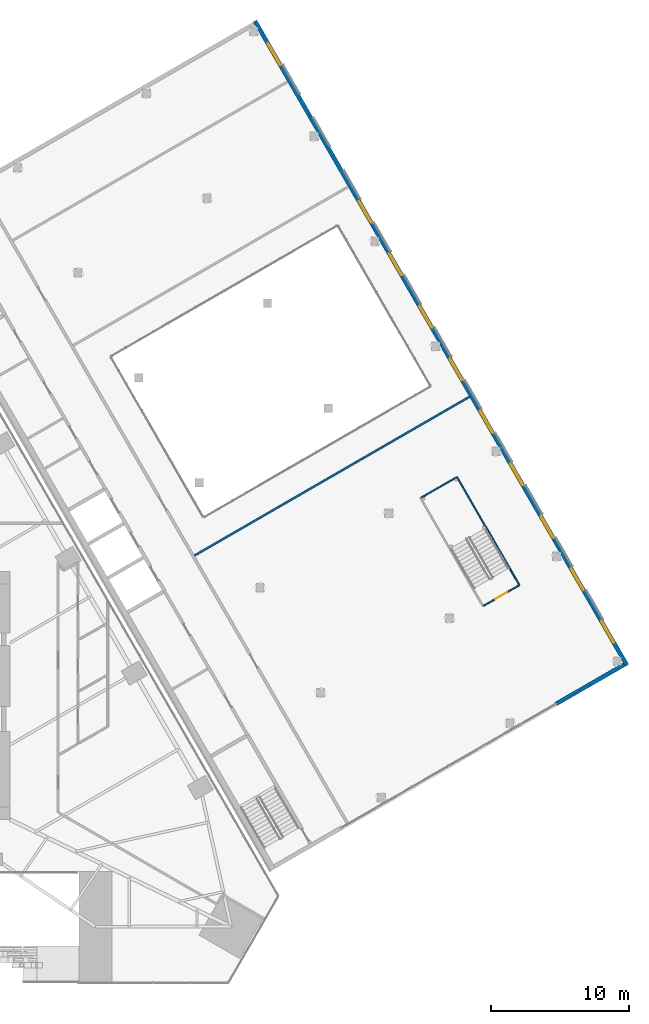
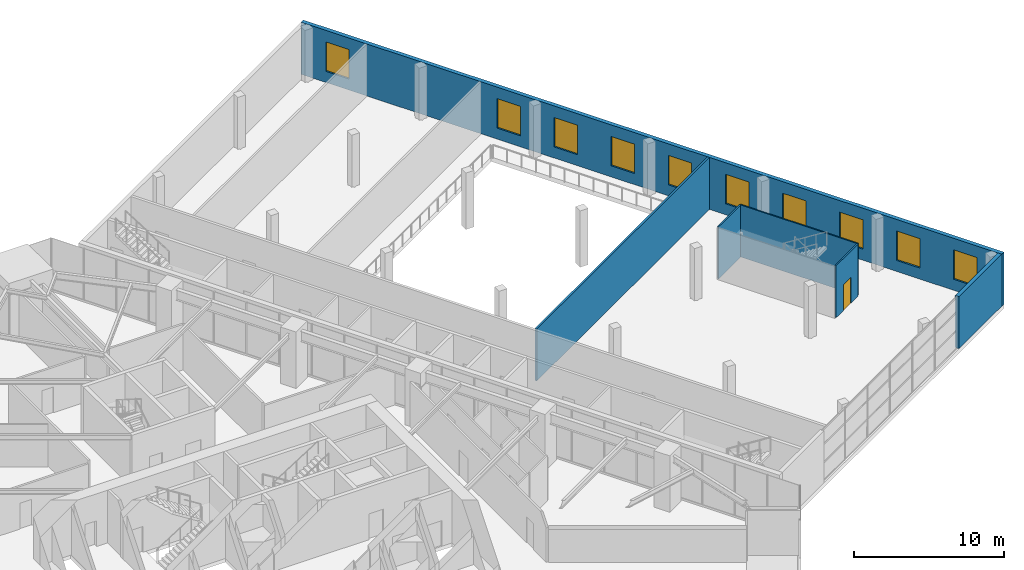
# One storey, part 21 of 30: 10 windows, 6 walls, 1 door, 11 openings.
"""IFC4 building model written with IfcOpenShell, lengths in metres."""

from ifc_helpers import new_model, si_unit, direction, frame, frame_2d, origin, place, context, subcontext, project, spatial, rectangle, extrude, material, layer, layer_set, type_object, element, fill, save


model = new_model("IFC4")

# Units and contexts
model_context = context("Model", 3, precision=1e-05, world=origin(), true_north=direction((0.0, 1.0)))
body_context = subcontext(model_context, "Body", "Model", "MODEL_VIEW")
ifc_project = project(units=[si_unit("LENGTHUNIT", "METRE"), si_unit("AREAUNIT", "SQUARE_METRE"), si_unit("VOLUMEUNIT", "CUBIC_METRE"), si_unit("PLANEANGLEUNIT", "RADIAN"), si_unit("MASSUNIT", "GRAM", prefix="KILO")], contexts=[model_context])

# Site, building, storey
site_placement = place(None, origin())
site = spatial("IfcSite", under=ifc_project, at=site_placement, CompositionType="ELEMENT")
building_placement = place(site_placement, origin())
building = spatial("IfcBuilding", under=site, at=building_placement, Name="Firuza Gate Tower and Library", CompositionType="ELEMENT")
storey_placement = place(building_placement, frame((0.0, 0.0, 12.60009765625)))
storey = spatial("IfcBuildingStorey", under=building, at=storey_placement, Name="L02", CompositionType="ELEMENT", Elevation=12.60009765625)

# Wall, openings, windows
ifc_material_1 = material(Name="Concrete C30/37", Category="concrete")
ifc_layer_1 = layer(ifc_material_1, 0.300048828125)
ifc_layer_set_1 = layer_set([ifc_layer_1], Name="LIB EXTERNAL WALL 300")
wall_type_1 = type_object("IfcWallType", Name="LIB EXTERNAL WALL 300", PredefinedType="SOLIDWALL", material=ifc_layer_set_1)
wall_1_placement = place(storey_placement, frame((132.783935546875, 77.1845703125, 0.0), z_axis=(0.0, 0.0, 1.0), x_axis=(-0.49999992739, 0.866025445706, 0.0)))
wall_1 = element("IfcWall", 1, at=wall_1_placement, inside=storey, type_object=wall_type_1, Name="L02 east wall", PredefinedType="SOLIDWALL", context=body_context, shape_type="SweptSolid", body=[
    extrude(rectangle(XDim=54.0, YDim=0.300048828125, at=frame_2d((27.0, 0.0))), origin(), (0.0, 0.0, 1.0), 4.239990234375),
])
opening_1_placement = place(wall_1_placement, frame((1.89990234375, 0.0, 0.89990234375)))
opening_1 = element("IfcOpeningElement", 2, at=opening_1_placement, cuts=wall_1, Name="Opening LIB-WN1-001", PredefinedType="OPENING", context=body_context, shape_type="SweptSolid", body=[
    extrude(rectangle(XDim=1.800048828125, YDim=2.39990234375, at=frame_2d((0.89990234375, 1.199951171875))), frame((0.0, 0.16015625, 0.0), z_axis=(0.0, -1.0, 0.0), x_axis=(1.0, 0.0, 0.0)), (0.0, 0.0, 1.0), 0.320068359375),
])
opening_2_placement = place(wall_1_placement, frame((6.300048828125, 0.0, 0.89990234375)))
opening_2 = element("IfcOpeningElement", 3, at=opening_2_placement, cuts=wall_1, Name="Opening LIB-WN1-002", PredefinedType="OPENING", context=body_context, shape_type="SweptSolid", body=[
    extrude(rectangle(XDim=1.800048828125, YDim=2.39990234375, at=frame_2d((0.89990234375, 1.199951171875))), frame((0.0, 0.16015625, 0.0), z_axis=(0.0, -1.0, 0.0), x_axis=(1.0, 0.0, 0.0)), (0.0, 0.0, 1.0), 0.320068359375),
])
opening_3_placement = place(wall_1_placement, frame((10.699951171875, 0.0, 0.89990234375)))
opening_3 = element("IfcOpeningElement", 4, at=opening_3_placement, cuts=wall_1, Name="Opening LIB-WN1-003", PredefinedType="OPENING", context=body_context, shape_type="SweptSolid", body=[
    extrude(rectangle(XDim=1.800048828125, YDim=2.39990234375, at=frame_2d((0.89990234375, 1.199951171875))), frame((0.0, 0.16015625, 0.0), z_axis=(0.0, -1.0, 0.0), x_axis=(1.0, 0.0, 0.0)), (0.0, 0.0, 1.0), 0.320068359375),
])
opening_4_placement = place(wall_1_placement, frame((15.10009765625, 0.0, 0.89990234375)))
opening_4 = element("IfcOpeningElement", 5, at=opening_4_placement, cuts=wall_1, Name="Opening LIB-WN1-004", PredefinedType="OPENING", context=body_context, shape_type="SweptSolid", body=[
    extrude(rectangle(XDim=1.800048828125, YDim=2.39990234375, at=frame_2d((0.89990234375, 1.199951171875))), frame((0.0, 0.16015625, 0.0), z_axis=(0.0, -1.0, 0.0), x_axis=(1.0, 0.0, 0.0)), (0.0, 0.0, 1.0), 0.320068359375),
])
opening_5_placement = place(wall_1_placement, frame((19.5, 0.0, 0.89990234375)))
opening_5 = element("IfcOpeningElement", 6, at=opening_5_placement, cuts=wall_1, Name="Opening LIB-WN1-005", PredefinedType="OPENING", context=body_context, shape_type="SweptSolid", body=[
    extrude(rectangle(XDim=1.800048828125, YDim=2.39990234375, at=frame_2d((0.89990234375, 1.199951171875))), frame((0.0, 0.16015625, 0.0), z_axis=(0.0, -1.0, 0.0), x_axis=(1.0, 0.0, 0.0)), (0.0, 0.0, 1.0), 0.320068359375),
])
opening_6_placement = place(wall_1_placement, frame((23.89990234375, 0.0, 0.89990234375)))
opening_6 = element("IfcOpeningElement", 7, at=opening_6_placement, cuts=wall_1, Name="Opening LIB-WN1-006", PredefinedType="OPENING", context=body_context, shape_type="SweptSolid", body=[
    extrude(rectangle(XDim=1.800048828125, YDim=2.39990234375, at=frame_2d((0.89990234375, 1.199951171875))), frame((0.0, 0.16015625, 0.0), z_axis=(0.0, -1.0, 0.0), x_axis=(1.0, 0.0, 0.0)), (0.0, 0.0, 1.0), 0.320068359375),
])
opening_7_placement = place(wall_1_placement, frame((28.300048828125, 0.0, 0.89990234375)))
opening_7 = element("IfcOpeningElement", 8, at=opening_7_placement, cuts=wall_1, Name="Opening LIB-WN1-007", PredefinedType="OPENING", context=body_context, shape_type="SweptSolid", body=[
    extrude(rectangle(XDim=1.800048828125, YDim=2.39990234375, at=frame_2d((0.89990234375, 1.199951171875))), frame((0.0, 0.16015625, 0.0), z_axis=(0.0, -1.0, 0.0), x_axis=(1.0, 0.0, 0.0)), (0.0, 0.0, 1.0), 0.320068359375),
])
opening_8_placement = place(wall_1_placement, frame((32.699951171875, 0.0, 0.89990234375)))
opening_8 = element("IfcOpeningElement", 9, at=opening_8_placement, cuts=wall_1, Name="Opening LIB-WN1-008", PredefinedType="OPENING", context=body_context, shape_type="SweptSolid", body=[
    extrude(rectangle(XDim=1.800048828125, YDim=2.39990234375, at=frame_2d((0.89990234375, 1.199951171875))), frame((0.0, 0.16015625, 0.0), z_axis=(0.0, -1.0, 0.0), x_axis=(1.0, 0.0, 0.0)), (0.0, 0.0, 1.0), 0.320068359375),
])
opening_9_placement = place(wall_1_placement, frame((37.10009765625, 0.0, 0.89990234375)))
opening_9 = element("IfcOpeningElement", 10, at=opening_9_placement, cuts=wall_1, Name="Opening LIB-WN1-009", PredefinedType="OPENING", context=body_context, shape_type="SweptSolid", body=[
    extrude(rectangle(XDim=1.800048828125, YDim=2.39990234375, at=frame_2d((0.89990234375, 1.199951171875))), frame((0.0, 0.16015625, 0.0), z_axis=(0.0, -1.0, 0.0), x_axis=(1.0, 0.0, 0.0)), (0.0, 0.0, 1.0), 0.320068359375),
])
opening_10_placement = place(wall_1_placement, frame((50.300048828125, 0.0, 0.89990234375)))
opening_10 = element("IfcOpeningElement", 11, at=opening_10_placement, cuts=wall_1, Name="Opening LIB-WN1-010", PredefinedType="OPENING", context=body_context, shape_type="SweptSolid", body=[
    extrude(rectangle(XDim=1.800048828125, YDim=2.39990234375, at=frame_2d((0.89990234375, 1.199951171875))), frame((0.0, 0.16015625, 0.0), z_axis=(0.0, -1.0, 0.0), x_axis=(1.0, 0.0, 0.0)), (0.0, 0.0, 1.0), 0.320068359375),
])
ifc_material_2 = material(Name="Ceramic-fritted glass", Category="glass")
window_type = type_object("IfcWindowType", Name="LIB WINDOW 1800X2400", PartitioningType="SINGLE_PANEL", PredefinedType="WINDOW", material=ifc_material_2)
window_1_placement = place(opening_1_placement, origin())
window_1 = element("IfcWindow", 12, at=window_1_placement, inside=storey, type_object=window_type, Name="L02 east window 1a", OverallHeight=2.39990234375, OverallWidth=1.800048828125, PartitioningType="SINGLE_PANEL", PredefinedType="WINDOW", context=body_context, shape_type="SweptSolid", body=[
    extrude(rectangle(XDim=1.800048828125, YDim=2.39990234375, at=frame_2d((0.89990234375, 1.199951171875))), frame((0.0, 0.030029296875, 0.0), z_axis=(0.0, -1.0, 0.0), x_axis=(1.0, 0.0, 0.0)), (0.0, 0.0, 1.0), 0.06005859375),
])
fill(opening_1, window_1)
window_2_placement = place(opening_2_placement, origin())
window_2 = element("IfcWindow", 13, at=window_2_placement, inside=storey, type_object=window_type, Name="L02 east window 1b", OverallHeight=2.39990234375, OverallWidth=1.800048828125, PartitioningType="SINGLE_PANEL", PredefinedType="WINDOW", context=body_context, shape_type="SweptSolid", body=[
    extrude(rectangle(XDim=1.800048828125, YDim=2.39990234375, at=frame_2d((0.89990234375, 1.199951171875))), frame((0.0, 0.030029296875, 0.0), z_axis=(0.0, -1.0, 0.0), x_axis=(1.0, 0.0, 0.0)), (0.0, 0.0, 1.0), 0.06005859375),
])
fill(opening_2, window_2)
window_3_placement = place(opening_3_placement, origin())
window_3 = element("IfcWindow", 14, at=window_3_placement, inside=storey, type_object=window_type, Name="L02 east window 2a", OverallHeight=2.39990234375, OverallWidth=1.800048828125, PartitioningType="SINGLE_PANEL", PredefinedType="WINDOW", context=body_context, shape_type="SweptSolid", body=[
    extrude(rectangle(XDim=1.800048828125, YDim=2.39990234375, at=frame_2d((0.89990234375, 1.199951171875))), frame((0.0, 0.030029296875, 0.0), z_axis=(0.0, -1.0, 0.0), x_axis=(1.0, 0.0, 0.0)), (0.0, 0.0, 1.0), 0.06005859375),
])
fill(opening_3, window_3)
window_4_placement = place(opening_4_placement, origin())
window_4 = element("IfcWindow", 15, at=window_4_placement, inside=storey, type_object=window_type, Name="L02 east window 2b", OverallHeight=2.39990234375, OverallWidth=1.800048828125, PartitioningType="SINGLE_PANEL", PredefinedType="WINDOW", context=body_context, shape_type="SweptSolid", body=[
    extrude(rectangle(XDim=1.800048828125, YDim=2.39990234375, at=frame_2d((0.89990234375, 1.199951171875))), frame((0.0, 0.030029296875, 0.0), z_axis=(0.0, -1.0, 0.0), x_axis=(1.0, 0.0, 0.0)), (0.0, 0.0, 1.0), 0.06005859375),
])
fill(opening_4, window_4)
window_5_placement = place(opening_5_placement, origin())
window_5 = element("IfcWindow", 16, at=window_5_placement, inside=storey, type_object=window_type, Name="L02 east window 3a", OverallHeight=2.39990234375, OverallWidth=1.800048828125, PartitioningType="SINGLE_PANEL", PredefinedType="WINDOW", context=body_context, shape_type="SweptSolid", body=[
    extrude(rectangle(XDim=1.800048828125, YDim=2.39990234375, at=frame_2d((0.89990234375, 1.199951171875))), frame((0.0, 0.030029296875, 0.0), z_axis=(0.0, -1.0, 0.0), x_axis=(1.0, 0.0, 0.0)), (0.0, 0.0, 1.0), 0.06005859375),
])
fill(opening_5, window_5)
window_6_placement = place(opening_6_placement, origin())
window_6 = element("IfcWindow", 17, at=window_6_placement, inside=storey, type_object=window_type, Name="L02 east window 3b", OverallHeight=2.39990234375, OverallWidth=1.800048828125, PartitioningType="SINGLE_PANEL", PredefinedType="WINDOW", context=body_context, shape_type="SweptSolid", body=[
    extrude(rectangle(XDim=1.800048828125, YDim=2.39990234375, at=frame_2d((0.89990234375, 1.199951171875))), frame((0.0, 0.030029296875, 0.0), z_axis=(0.0, -1.0, 0.0), x_axis=(1.0, 0.0, 0.0)), (0.0, 0.0, 1.0), 0.06005859375),
])
fill(opening_6, window_6)
window_7_placement = place(opening_7_placement, origin())
window_7 = element("IfcWindow", 18, at=window_7_placement, inside=storey, type_object=window_type, Name="L02 east window 4a", OverallHeight=2.39990234375, OverallWidth=1.800048828125, PartitioningType="SINGLE_PANEL", PredefinedType="WINDOW", context=body_context, shape_type="SweptSolid", body=[
    extrude(rectangle(XDim=1.800048828125, YDim=2.39990234375, at=frame_2d((0.89990234375, 1.199951171875))), frame((0.0, 0.030029296875, 0.0), z_axis=(0.0, -1.0, 0.0), x_axis=(1.0, 0.0, 0.0)), (0.0, 0.0, 1.0), 0.06005859375),
])
fill(opening_7, window_7)
window_8_placement = place(opening_8_placement, origin())
window_8 = element("IfcWindow", 19, at=window_8_placement, inside=storey, type_object=window_type, Name="L02 east window 4b", OverallHeight=2.39990234375, OverallWidth=1.800048828125, PartitioningType="SINGLE_PANEL", PredefinedType="WINDOW", context=body_context, shape_type="SweptSolid", body=[
    extrude(rectangle(XDim=1.800048828125, YDim=2.39990234375, at=frame_2d((0.89990234375, 1.199951171875))), frame((0.0, 0.030029296875, 0.0), z_axis=(0.0, -1.0, 0.0), x_axis=(1.0, 0.0, 0.0)), (0.0, 0.0, 1.0), 0.06005859375),
])
fill(opening_8, window_8)
window_9_placement = place(opening_9_placement, origin())
window_9 = element("IfcWindow", 20, at=window_9_placement, inside=storey, type_object=window_type, Name="L02 east window 5a", OverallHeight=2.39990234375, OverallWidth=1.800048828125, PartitioningType="SINGLE_PANEL", PredefinedType="WINDOW", context=body_context, shape_type="SweptSolid", body=[
    extrude(rectangle(XDim=1.800048828125, YDim=2.39990234375, at=frame_2d((0.89990234375, 1.199951171875))), frame((0.0, 0.030029296875, 0.0), z_axis=(0.0, -1.0, 0.0), x_axis=(1.0, 0.0, 0.0)), (0.0, 0.0, 1.0), 0.06005859375),
])
fill(opening_9, window_9)
window_10_placement = place(opening_10_placement, origin())
window_10 = element("IfcWindow", 21, at=window_10_placement, inside=storey, type_object=window_type, Name="L02 east window 6b", OverallHeight=2.39990234375, OverallWidth=1.800048828125, PartitioningType="SINGLE_PANEL", PredefinedType="WINDOW", context=body_context, shape_type="SweptSolid", body=[
    extrude(rectangle(XDim=1.800048828125, YDim=2.39990234375, at=frame_2d((0.89990234375, 1.199951171875))), frame((0.0, 0.030029296875, 0.0), z_axis=(0.0, -1.0, 0.0), x_axis=(1.0, 0.0, 0.0)), (0.0, 0.0, 1.0), 0.06005859375),
])
fill(opening_10, window_10)

# Walls
wall_2_placement = place(storey_placement, frame((127.642578125, 74.389404296875, 0.0), z_axis=(0.0, 0.0, 1.0), x_axis=(0.866025820012, 0.499999279071, 0.0)))
element("IfcWall", 22, at=wall_2_placement, inside=storey, type_object=wall_type_1, Name="L02 south wall S2", PredefinedType="SOLIDWALL", context=body_context, shape_type="SweptSolid", body=[
    extrude(rectangle(XDim=5.7001953125, YDim=0.300048828125, at=frame_2d((2.85009765625, 0.0))), origin(), (0.0, 0.0, 1.0), 4.239990234375),
])
ifc_material_3 = material(Name="Laminated glass", Category="glass")
ifc_layer_2 = layer(ifc_material_3, 0.10009765625)
ifc_layer_set_2 = layer_set([ifc_layer_2], Name="LIB GLAZED STAIR SCREEN 100")
wall_type_2 = type_object("IfcWallType", Name="LIB GLAZED STAIR SCREEN 100", PredefinedType="PARTITIONING", material=ifc_layer_set_2)
wall_3_placement = place(storey_placement, frame((124.974609375, 83.010498046875, 0.0), z_axis=(0.0, 0.0, 1.0), x_axis=(-0.500002365587, 0.866024038008, 0.0)))
element("IfcWall", 23, at=wall_3_placement, inside=storey, type_object=wall_type_2, Name="L02 glass wall 19", PredefinedType="PARTITIONING", context=body_context, shape_type="SweptSolid", body=[
    extrude(rectangle(XDim=9.06005859375, YDim=0.10009765625, at=frame_2d((4.530029296875, 0.0))), origin(), (0.0, 0.0, 1.0), 4.239990234375),
])

# Wall, opening, door
wall_4_placement = place(storey_placement, frame((122.376708984375, 81.510498046875, 0.0), z_axis=(0.0, 0.0, 1.0), x_axis=(0.866003658127, 0.500037662692, 0.0)))
wall_4 = element("IfcWall", 24, at=wall_4_placement, inside=storey, type_object=wall_type_2, Name="L02 glass wall 20", PredefinedType="PARTITIONING", context=body_context, shape_type="SweptSolid", body=[
    extrude(rectangle(XDim=2.949951171875, YDim=0.10009765625, at=frame_2d((1.47509765625, 0.0))), origin(), (0.0, 0.0, 1.0), 4.239990234375),
])
opening_11_placement = place(wall_4_placement, frame((0.97509765625, 0.0, 0.0)))
opening_11 = element("IfcOpeningElement", 25, at=opening_11_placement, cuts=wall_4, Name="Opening LIB-D2-002", PredefinedType="OPENING", context=body_context, shape_type="SweptSolid", body=[
    extrude(rectangle(XDim=1.0, YDim=2.10009765625, at=frame_2d((0.5, 1.050048828125))), frame((0.0, 0.06005859375, 0.0), z_axis=(0.0, -1.0, 0.0), x_axis=(1.0, 0.0, 0.0)), (0.0, 0.0, 1.0), 0.1201171875),
])
ifc_material_4 = material(Name="Timber door leaf", Category="wood")
door_type = type_object("IfcDoorType", Name="LIB DOOR 1000", OperationType="NOTDEFINED", PredefinedType="DOOR", material=ifc_material_4)
door_placement = place(opening_11_placement, origin())
door = element("IfcDoor", 26, at=door_placement, inside=storey, type_object=door_type, Name="L02 door 12", OperationType="SINGLE_SWING_RIGHT", OverallHeight=2.10009765625, OverallWidth=1.0, PredefinedType="DOOR", context=body_context, shape_type="SweptSolid", body=[
    extrude(rectangle(XDim=1.0, YDim=2.10009765625, at=frame_2d((0.5, 1.050048828125))), frame((0.0, 0.02490234375, 0.0), z_axis=(0.0, -1.0, 0.0), x_axis=(1.0, 0.0, 0.0)), (0.0, 0.0, 1.0), 0.050048828125),
])
fill(opening_11, door)

# Walls
wall_5_placement = place(storey_placement, frame((117.8466796875, 89.356689453125, 0.0), z_axis=(0.0, 0.0, 1.0), x_axis=(0.866003658127, 0.500037662692, 0.0)))
element("IfcWall", 27, at=wall_5_placement, inside=storey, type_object=wall_type_2, Name="L02 glass wall 21", PredefinedType="PARTITIONING", context=body_context, shape_type="SweptSolid", body=[
    extrude(rectangle(XDim=2.949951171875, YDim=0.10009765625, at=frame_2d((1.47509765625, 0.0))), origin(), (0.0, 0.0, 1.0), 4.239990234375),
])
ifc_material_5 = material(Name="Gypsum board on steel studs", Category="steel")
ifc_layer_3 = layer(ifc_material_5, 0.14990234375)
ifc_layer_set_3 = layer_set([ifc_layer_3], Name="LIB PARTITION 150")
wall_type_3 = type_object("IfcWallType", Name="LIB PARTITION 150", PredefinedType="PARTITIONING", material=ifc_layer_set_3)
wall_6_placement = place(storey_placement, frame((101.39208984375, 85.15673828125, 0.0), z_axis=(0.0, 0.0, 1.0), x_axis=(0.866022961126, 0.500004230785, 0.0)))
element("IfcWall", 28, at=wall_6_placement, inside=storey, type_object=wall_type_3, Name="L02 part wall 17", PredefinedType="PARTITIONING", context=body_context, shape_type="SweptSolid", body=[
    extrude(rectangle(XDim=23.050048828125, YDim=0.14990234375, at=frame_2d((11.52490234375, 0.0))), origin(), (0.0, 0.0, 1.0), 4.239990234375),
])

save(model, "model.ifc")
